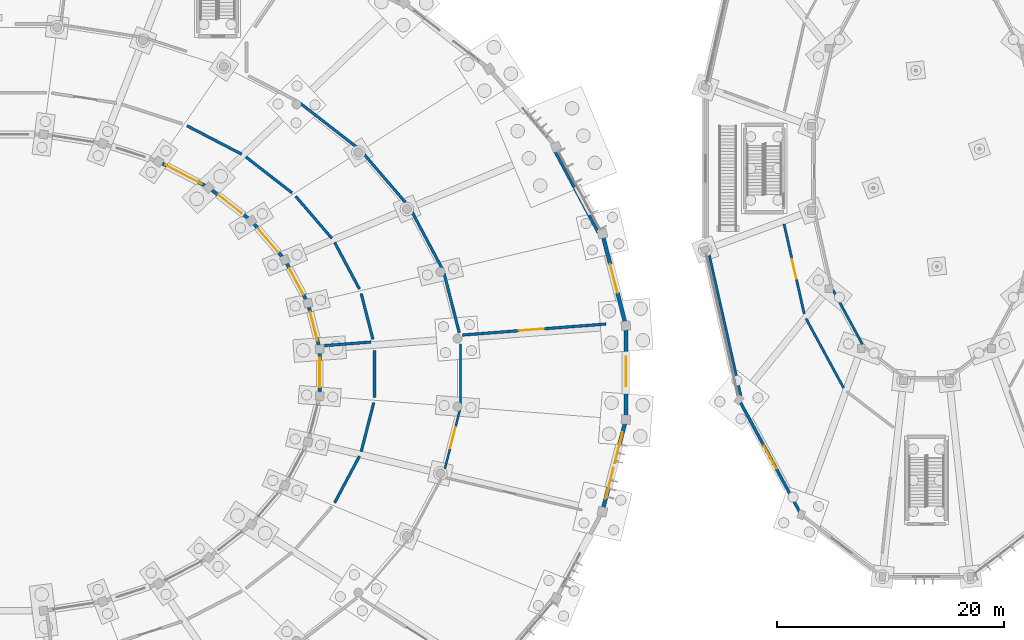
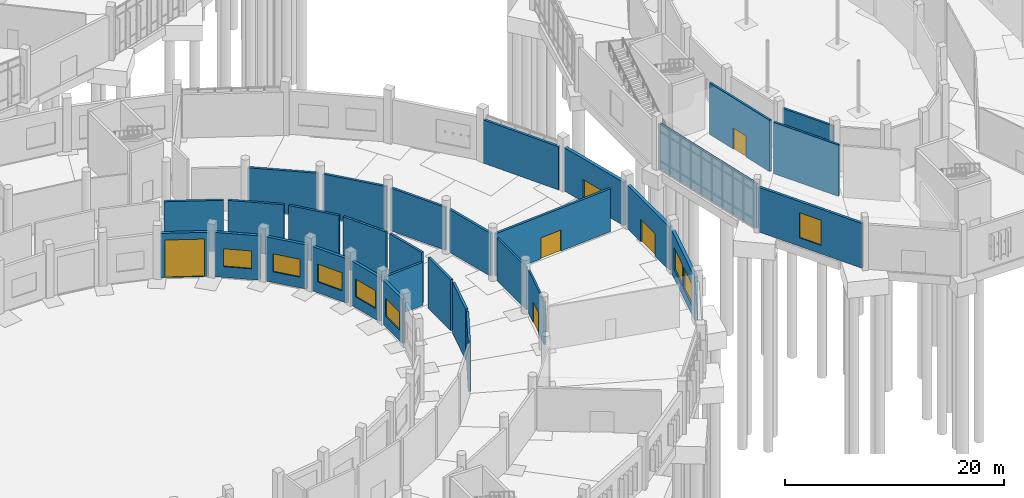
# One storey, part 86 of 140: 31 walls, 8 windows, 6 doors, 14 openings.
"""IFC4 building model written with IfcOpenShell, lengths in metres."""

from ifc_helpers import new_model, si_unit, direction, frame, frame_2d, origin, place, context, subcontext, project, spatial, rectangle, extrude, material, layer, layer_set, type_object, element, fill, save


model = new_model("IFC4")

# Units and contexts
model_context = context("Model", 3, precision=1e-05, world=origin(), true_north=direction((0.0, 1.0)))
body_context = subcontext(model_context, "Body", "Model", "MODEL_VIEW")
ifc_project = project(units=[si_unit("LENGTHUNIT", "METRE"), si_unit("AREAUNIT", "SQUARE_METRE"), si_unit("VOLUMEUNIT", "CUBIC_METRE"), si_unit("PLANEANGLEUNIT", "RADIAN"), si_unit("MASSUNIT", "GRAM", prefix="KILO")], contexts=[model_context])

# Site, building, storey
site_placement = place(None, origin())
site = spatial("IfcSite", under=ifc_project, at=site_placement, CompositionType="ELEMENT")
building_placement = place(site_placement, origin())
building = spatial("IfcBuilding", under=site, at=building_placement, Name="Corvandel Quay Wholesale Market", CompositionType="ELEMENT")
storey_placement = place(building_placement, origin())
storey = spatial("IfcBuildingStorey", under=building, at=storey_placement, Name="L00", CompositionType="ELEMENT", Elevation=0.0)

# Walls
ifc_material_1 = material(Name="Gypsum-clad steel stud framing", Category="steel")
ifc_layer_1 = layer(ifc_material_1, 0.2099609375)
ifc_layer_set_1 = layer_set([ifc_layer_1], Name="Gypsum-clad steel stud framing")
wall_type_1 = type_object("IfcWallType", Name="Corridor Rated Partition PT02 210", PredefinedType="PARTITIONING", material=ifc_layer_set_1)
wall_1_placement = place(storey_placement, frame((188.853271484375, 44.49658203125, 0.0), z_axis=(0.0, 0.0, 1.0), x_axis=(-0.476219723691, 0.879326318705, 0.0)))
element("IfcWall", 1, at=wall_1_placement, inside=storey, type_object=wall_type_1, Name="Interior Wall IW-0679", PredefinedType="PARTITIONING", context=body_context, shape_type="SweptSolid", body=[
    extrude(rectangle(XDim=5.456298828125, YDim=0.2099609375, at=frame_2d((2.72802734375, 0.0))), origin(), (0.0, 0.0, 1.0), 4.93994140625),
])
wall_2_placement = place(storey_placement, frame((178.147705078125, 39.90771484375, 0.0), z_axis=(0.0, 0.0, 1.0), x_axis=(-0.218950813535, 0.975735897286, 0.0)))
element("IfcWall", 2, at=wall_2_placement, inside=storey, type_object=wall_type_1, Name="Interior Wall IW-0701", PredefinedType="PARTITIONING", context=body_context, shape_type="SweptSolid", body=[
    extrude(rectangle(XDim=13.060546875, YDim=0.2099609375, at=frame_2d((6.5302734375, 0.0))), origin(), (0.0, 0.0, 1.0), 4.989990234375),
])

# Wall, opening, door
wall_3_placement = place(storey_placement, frame((181.947998046875, 55.101806640625, 0.0), z_axis=(0.0, 0.0, 1.0), x_axis=(0.218873477414, -0.97575324795, 0.0)))
wall_3 = element("IfcWall", 3, at=wall_3_placement, inside=storey, type_object=wall_type_1, Name="Interior Wall IW-0702", PredefinedType="PARTITIONING", context=body_context, shape_type="SweptSolid", body=[
    extrude(rectangle(XDim=8.11376953125, YDim=0.2099609375, at=frame_2d((4.056884765625, 0.0))), origin(), (0.0, 0.0, 1.0), 5.739990234375),
])
opening_1_placement = place(wall_3_placement, frame((3.20703125, 0.0, 0.0)))
opening_1 = element("IfcOpeningElement", 4, at=opening_1_placement, cuts=wall_3, Name="Opening L00-D108", PredefinedType="OPENING", context=body_context, shape_type="SweptSolid", body=[
    extrude(rectangle(XDim=1.75, YDim=2.35009765625, at=frame_2d((0.875, 1.175048828125))), frame((0.0, 0.114990234375, 0.0), z_axis=(0.0, -1.0, 0.0), x_axis=(1.0, 0.0, 0.0)), (0.0, 0.0, 1.0), 0.22998046875),
])
ifc_material_2 = material(Name="Acoustic timber double leaf", Category="wood")
door_type_1 = type_object("IfcDoorType", Name="Auction Hall Acoustic Door ID18 1750x2350", OperationType="DOUBLE_DOOR_SINGLE_SWING", PredefinedType="DOOR", material=ifc_material_2)
door_1_placement = place(opening_1_placement, origin())
door_1 = element("IfcDoor", 5, at=door_1_placement, inside=storey, type_object=door_type_1, Name="Auction Lot Display Staging Hall Door", OperationType="DOUBLE_DOOR_SINGLE_SWING", OverallHeight=2.35009765625, OverallWidth=1.75, PredefinedType="DOOR", context=body_context, shape_type="SweptSolid", body=[
    extrude(rectangle(XDim=1.75, YDim=2.35009765625, at=frame_2d((0.875, 1.175048828125))), frame((0.0, 0.02490234375, 0.0), z_axis=(0.0, -1.0, 0.0), x_axis=(1.0, 0.0, 0.0)), (0.0, 0.0, 1.0), 0.050048828125),
])
fill(opening_1, door_1)

# Walls
wall_4_placement = place(storey_placement, frame((183.876708984375, 46.776611328125, 0.0), z_axis=(0.0, 0.0, 1.0), x_axis=(0.476408516095, -0.879224047551, 0.0)))
element("IfcWall", 6, at=wall_4_placement, inside=storey, type_object=wall_type_1, Name="Interior Wall IW-0703", PredefinedType="PARTITIONING", context=body_context, shape_type="SweptSolid", body=[
    extrude(rectangle(XDim=6.96337890625, YDim=0.2099609375, at=frame_2d((3.481689453125, 0.0))), origin(), (0.0, 0.0, 1.0), 5.739990234375),
])
ifc_material_3 = material(Name="Lightweight concrete blockwork", Category="masonry")
ifc_layer_2 = layer(ifc_material_3, 0.239990234375)
ifc_layer_set_2 = layer_set([ifc_layer_2], Name="Lightweight concrete blockwork")
wall_type_2 = type_object("IfcWallType", Name="Fire Compartment Partition PT01 240", PredefinedType="PARTITIONING", material=ifc_layer_set_2)
wall_5_placement = place(storey_placement, frame((151.812744140625, 51.145263671875, 0.0), z_axis=(0.0, 0.0, 1.0), x_axis=(-0.469226360226, 0.883077925706, 0.0)))
element("IfcWall", 7, at=wall_5_placement, inside=storey, type_object=wall_type_2, Name="Interior Wall IW-0353", PredefinedType="PARTITIONING", context=body_context, shape_type="SweptSolid", body=[
    extrude(rectangle(XDim=5.938720703125, YDim=0.239990234375, at=frame_2d((2.96923828125, 0.0))), origin(), (0.0, 0.0, 1.0), 4.780029296875),
])
wall_6_placement = place(storey_placement, frame((148.77978515625, 56.7509765625, 0.0), z_axis=(0.0, 0.0, 1.0), x_axis=(-0.651535152642, 0.758618444853, 0.0)))
element("IfcWall", 8, at=wall_6_placement, inside=storey, type_object=wall_type_2, Name="Interior Wall IW-0354", PredefinedType="PARTITIONING", context=body_context, shape_type="SweptSolid", body=[
    extrude(rectangle(XDim=6.187744140625, YDim=0.239990234375, at=frame_2d((3.09375, 0.0))), origin(), (0.0, 0.0, 1.0), 4.780029296875),
])
wall_7_placement = place(storey_placement, frame((144.431396484375, 61.7470703125, 0.0), z_axis=(0.0, 0.0, 1.0), x_axis=(-0.789342138295, 0.613953572115, 0.0)))
element("IfcWall", 9, at=wall_7_placement, inside=storey, type_object=wall_type_2, Name="Interior Wall IW-0355", PredefinedType="PARTITIONING", context=body_context, shape_type="SweptSolid", body=[
    extrude(rectangle(XDim=6.521484375, YDim=0.239990234375, at=frame_2d((3.2607421875, 0.0))), origin(), (0.0, 0.0, 1.0), 4.780029296875),
])
wall_8_placement = place(storey_placement, frame((161.724365234375, 61.540771484375, 0.0), z_axis=(0.0, 0.0, 1.0), x_axis=(0.470163984021, -0.88257907755, 0.0)))
element("IfcWall", 10, at=wall_8_placement, inside=storey, type_object=wall_type_2, Name="Interior Wall IW-0360", PredefinedType="PARTITIONING", context=body_context, shape_type="SweptSolid", body=[
    extrude(rectangle(XDim=8.155029296875, YDim=0.239990234375, at=frame_2d((4.07763671875, 0.0))), origin(), (0.0, 0.0, 1.0), 4.830078125),
])

# Wall, opening, door
wall_9_placement = place(storey_placement, frame((166.2421875, 46.283447265625, 0.0), z_axis=(0.0, 0.0, 1.0), x_axis=(-0.997073231662, -0.07645240809, 0.0)))
wall_9 = element("IfcWall", 11, at=wall_9_placement, inside=storey, type_object=wall_type_2, Name="Interior Wall IW-0361", PredefinedType="PARTITIONING", context=body_context, shape_type="SweptSolid", body=[
    extrude(rectangle(XDim=12.69677734375, YDim=0.239990234375, at=frame_2d((6.348388671875, 0.0))), origin(), (0.0, 0.0, 1.0), 4.780029296875),
])
opening_2_placement = place(wall_9_placement, frame((5.498046875, 0.0, 0.0)))
opening_2 = element("IfcOpeningElement", 12, at=opening_2_placement, cuts=wall_9, Name="Opening L00-D085", PredefinedType="OPENING", context=body_context, shape_type="SweptSolid", body=[
    extrude(rectangle(XDim=2.199951171875, YDim=2.35009765625, at=frame_2d((1.10009765625, 1.175048828125))), frame((0.0, 0.1298828125, 0.0), z_axis=(0.0, -1.0, 0.0), x_axis=(1.0, 0.0, 0.0)), (0.0, 0.0, 1.0), 0.260009765625),
])
ifc_material_4 = material(Name="Stainless-clad fire-rated steel", Category="steel")
door_type_2 = type_object("IfcDoorType", Name="Hall Compartment Double Door ID04 2200x2350", OperationType="DOUBLE_DOOR_SINGLE_SWING", PredefinedType="DOOR", material=ifc_material_4)
door_2_placement = place(opening_2_placement, origin())
door_2 = element("IfcDoor", 13, at=door_2_placement, inside=storey, type_object=door_type_2, Name="Produce Wholesale Trading Hall East Door", OperationType="DOUBLE_DOOR_SINGLE_SWING", OverallHeight=2.35009765625, OverallWidth=2.199951171875, PredefinedType="DOOR", context=body_context, shape_type="SweptSolid", body=[
    extrude(rectangle(XDim=2.199951171875, YDim=2.35009765625, at=frame_2d((1.10009765625, 1.175048828125))), frame((0.0, 0.02490234375, 0.0), z_axis=(0.0, -1.0, 0.0), x_axis=(1.0, 0.0, 0.0)), (0.0, 0.0, 1.0), 0.050048828125),
])
fill(opening_2, door_2)

# Walls
wall_10_placement = place(storey_placement, frame((153.30859375, 45.509033203125, 0.0), z_axis=(0.0, 0.0, 1.0), x_axis=(-0.247928033727, 0.968778452533, 0.0)))
element("IfcWall", 14, at=wall_10_placement, inside=storey, type_object=wall_type_2, Name="Interior Wall IW-0362", PredefinedType="PARTITIONING", context=body_context, shape_type="SweptSolid", body=[
    extrude(rectangle(XDim=5.397216796875, YDim=0.239990234375, at=frame_2d((2.69873046875, 0.0))), origin(), (0.0, 0.0, 1.0), 4.780029296875),
])
wall_11_placement = place(storey_placement, frame((129.293212890625, 63.7666015625, 0.0), z_axis=(0.0, 0.0, 1.0), x_axis=(0.88734982981, -0.461096822301, 0.0)))
element("IfcWall", 15, at=wall_11_placement, inside=storey, type_object=wall_type_2, Name="Interior Wall IW-0410", PredefinedType="PARTITIONING", context=body_context, shape_type="SweptSolid", body=[
    extrude(rectangle(XDim=5.437255859375, YDim=0.239990234375, at=frame_2d((2.71875, 0.0))), origin(), (0.0, 0.0, 1.0), 5.679931640625),
])
wall_12_placement = place(storey_placement, frame((134.48681640625, 61.02294921875, 0.0), z_axis=(0.0, 0.0, 1.0), x_axis=(0.789326793675, -0.613973299734, 0.0)))
element("IfcWall", 16, at=wall_12_placement, inside=storey, type_object=wall_type_2, Name="Interior Wall IW-0411", PredefinedType="PARTITIONING", context=body_context, shape_type="SweptSolid", body=[
    extrude(rectangle(XDim=5.1708984375, YDim=0.239990234375, at=frame_2d((2.58544921875, 0.0))), origin(), (0.0, 0.0, 1.0), 5.679931640625),
])
wall_13_placement = place(storey_placement, frame((138.885498046875, 57.546142578125, 0.0), z_axis=(0.0, 0.0, 1.0), x_axis=(0.651612898083, -0.758551666699, 0.0)))
element("IfcWall", 17, at=wall_13_placement, inside=storey, type_object=wall_type_2, Name="Interior Wall IW-0412", PredefinedType="PARTITIONING", context=body_context, shape_type="SweptSolid", body=[
    extrude(rectangle(XDim=4.892578125, YDim=0.239990234375, at=frame_2d((2.4462890625, 0.0))), origin(), (0.0, 0.0, 1.0), 5.679931640625),
])
wall_14_placement = place(storey_placement, frame((142.3203125, 53.473876953125, 0.0), z_axis=(0.0, 0.0, 1.0), x_axis=(0.469990490092, -0.882671478651, 0.0)))
element("IfcWall", 18, at=wall_14_placement, inside=storey, type_object=wall_type_2, Name="Interior Wall IW-0413", PredefinedType="PARTITIONING", context=body_context, shape_type="SweptSolid", body=[
    extrude(rectangle(XDim=4.6435546875, YDim=0.239990234375, at=frame_2d((2.32177734375, 0.0))), origin(), (0.0, 0.0, 1.0), 5.679931640625),
])
wall_15_placement = place(storey_placement, frame((144.660400390625, 48.968017578125, 0.0), z_axis=(0.0, 0.0, 1.0), x_axis=(0.247874121908, -0.96879224795, 0.0)))
element("IfcWall", 19, at=wall_15_placement, inside=storey, type_object=wall_type_2, Name="Interior Wall IW-0414", PredefinedType="PARTITIONING", context=body_context, shape_type="SweptSolid", body=[
    extrude(rectangle(XDim=4.172119140625, YDim=0.239990234375, at=frame_2d((2.0859375, 0.0))), origin(), (0.0, 0.0, 1.0), 5.679931640625),
])
wall_16_placement = place(storey_placement, frame((145.529541015625, 44.6962890625, 0.0), z_axis=(0.0, 0.0, 1.0), x_axis=(-0.997067751091, -0.076523850757, 0.0)))
element("IfcWall", 20, at=wall_16_placement, inside=storey, type_object=wall_type_2, Name="Interior Wall IW-0415", PredefinedType="PARTITIONING", context=body_context, shape_type="SweptSolid", body=[
    extrude(rectangle(XDim=4.109130859375, YDim=0.239990234375, at=frame_2d((2.0546875, 0.0))), origin(), (0.0, 0.0, 1.0), 4.800048828125),
])
wall_17_placement = place(storey_placement, frame((145.822998046875, 43.93701171875, 0.0), z_axis=(0.0, 0.0, 1.0), x_axis=(0.0, -1.0, 0.0)))
element("IfcWall", 21, at=wall_17_placement, inside=storey, type_object=wall_type_2, Name="Interior Wall IW-0433", PredefinedType="PARTITIONING", context=body_context, shape_type="SweptSolid", body=[
    extrude(rectangle(XDim=4.14111328125, YDim=0.239990234375, at=frame_2d((2.070556640625, 0.0))), origin(), (0.0, 0.0, 1.0), 5.679931640625),
])
wall_18_placement = place(storey_placement, frame((145.7685546875, 39.36279296875, 0.0), z_axis=(0.0, 0.0, 1.0), x_axis=(-0.247890468926, -0.968788065273, 0.0)))
element("IfcWall", 22, at=wall_18_placement, inside=storey, type_object=wall_type_2, Name="Interior Wall IW-0434", PredefinedType="PARTITIONING", context=body_context, shape_type="SweptSolid", body=[
    extrude(rectangle(XDim=4.470458984375, YDim=0.239990234375, at=frame_2d((2.2353515625, 0.0))), origin(), (0.0, 0.0, 1.0), 5.679931640625),
])
wall_19_placement = place(storey_placement, frame((144.502685546875, 34.624755859375, 0.0), z_axis=(0.0, 0.0, 1.0), x_axis=(-0.469990490092, -0.882671478651, 0.0)))
element("IfcWall", 23, at=wall_19_placement, inside=storey, type_object=wall_type_2, Name="Interior Wall IW-0435", PredefinedType="PARTITIONING", context=body_context, shape_type="SweptSolid", body=[
    extrude(rectangle(XDim=4.6435546875, YDim=0.239990234375, at=frame_2d((2.32177734375, 0.0))), origin(), (0.0, 0.0, 1.0), 5.679931640625),
])

# Wall, opening, door
ifc_material_5 = material(Name="FRP-faced cementitious board stud wall")
ifc_layer_3 = layer(ifc_material_5, 0.179931640625)
ifc_layer_set_3 = layer_set([ifc_layer_3], Name="FRP-faced cementitious board stud wall")
wall_type_3 = type_object("IfcWallType", Name="Hygienic Washdown Partition PT05 180", PredefinedType="PARTITIONING", material=ifc_layer_set_3)
wall_20_placement = place(storey_placement, frame((152.04150390625, 33.5380859375, 0.0), z_axis=(0.0, 0.0, 1.0), x_axis=(0.247546610249, 0.968875985745, 0.0)))
wall_20 = element("IfcWall", 24, at=wall_20_placement, inside=storey, type_object=wall_type_3, Name="Interior Wall IW-0404", PredefinedType="PARTITIONING", context=body_context, shape_type="SweptSolid", body=[
    extrude(rectangle(XDim=5.373046875, YDim=0.179931640625, at=frame_2d((2.6865234375, 0.0))), origin(), (0.0, 0.0, 1.0), 4.780029296875),
])
opening_3_placement = place(wall_20_placement, frame((1.8359375, 0.0, 0.0)))
opening_3 = element("IfcOpeningElement", 25, at=opening_3_placement, cuts=wall_20, Name="Opening L00-D093", PredefinedType="OPENING", context=body_context, shape_type="SweptSolid", body=[
    extrude(rectangle(XDim=1.89990234375, YDim=2.300048828125, at=frame_2d((0.949951171875, 1.14990234375))), frame((0.0, 0.099853515625, 0.0), z_axis=(0.0, -1.0, 0.0), x_axis=(1.0, 0.0, 0.0)), (0.0, 0.0, 1.0), 0.199951171875),
])
ifc_material_6 = material(Name="Brushed stainless steel hygienic leaf", Category="steel")
door_type_3 = type_object("IfcDoorType", Name="Canteen Kitchen Double Door ID17 1900x2300", OperationType="DOUBLE_DOOR_SINGLE_SWING", PredefinedType="DOOR", material=ifc_material_6)
door_3_placement = place(opening_3_placement, origin())
door_3 = element("IfcDoor", 26, at=door_3_placement, inside=storey, type_object=door_type_3, Name="Produce Hall Pallet Wash and Store Door", OperationType="DOUBLE_DOOR_SINGLE_SWING", OverallHeight=2.300048828125, OverallWidth=1.89990234375, PredefinedType="DOOR", context=body_context, shape_type="SweptSolid", body=[
    extrude(rectangle(XDim=1.89990234375, YDim=2.300048828125, at=frame_2d((0.949951171875, 1.14990234375))), frame((0.0, 0.02490234375, 0.0), z_axis=(0.0, -1.0, 0.0), x_axis=(1.0, 0.0, 0.0)), (0.0, 0.0, 1.0), 0.050048828125),
])
fill(opening_3, door_3)

# Wall
wall_21_placement = place(storey_placement, frame((153.42626953125, 39.177001953125, 0.0), z_axis=(0.0, 0.0, 1.0), x_axis=(0.000639707431, 0.999999795387, 0.0)))
element("IfcWall", 27, at=wall_21_placement, inside=storey, type_object=wall_type_3, Name="Interior Wall IW-0405", PredefinedType="PARTITIONING", context=body_context, shape_type="SweptSolid", body=[
    extrude(rectangle(XDim=5.343017578125, YDim=0.179931640625, at=frame_2d((2.67138671875, 0.0))), origin(), (0.0, 0.0, 1.0), 4.780029296875),
])

# Wall, opening, window
ifc_material_7 = material(Name="Precast concrete C45/55", Category="concrete")
ifc_layer_4 = layer(ifc_material_7, 0.300048828125)
ifc_layer_set_4 = layer_set([ifc_layer_4], Name="Precast concrete C45/55")
wall_type_4 = type_object("IfcWallType", Name="Loading Dock Apron Precast Wall EW05 300", PredefinedType="SOLIDWALL", material=ifc_layer_set_4)
wall_22_placement = place(storey_placement, frame((140.9306640625, 44.33935546875, 0.0), z_axis=(0.0, 0.0, 1.0), x_axis=(-0.247868505824, 0.968793684858, 0.0)))
wall_22 = element("IfcWall", 28, at=wall_22_placement, inside=storey, type_object=wall_type_4, Name="Exterior Wall EW-0002", PredefinedType="SOLIDWALL", context=body_context, shape_type="SweptSolid", body=[
    extrude(rectangle(XDim=3.627685546875, YDim=0.300048828125, at=frame_2d((1.81396484375, 0.0))), origin(), (0.0, 0.0, 1.0), 4.949951171875),
])
opening_4_placement = place(wall_22_placement, frame((0.513916015625, 0.0, 1.199951171875)))
opening_4 = element("IfcOpeningElement", 29, at=opening_4_placement, cuts=wall_22, Name="Opening L00-W001", PredefinedType="OPENING", context=body_context, shape_type="SweptSolid", body=[
    extrude(rectangle(XDim=2.60009765625, YDim=2.0, at=frame_2d((1.300048828125, 1.0))), frame((0.0, 0.159912109375, 0.0), z_axis=(0.0, -1.0, 0.0), x_axis=(1.0, 0.0, 0.0)), (0.0, 0.0, 1.0), 0.320068359375),
])
ifc_material_8 = material(Name="Thermally broken bronze anodised aluminium and solar-control low-E double glazing", Category="aluminium")
window_type_1 = type_object("IfcWindowType", Name="Yard Overlook Window WN05 2600x2000", PartitioningType="SINGLE_PANEL", PredefinedType="WINDOW", material=ifc_material_8)
window_1_placement = place(opening_4_placement, origin())
window_1 = element("IfcWindow", 30, at=window_1_placement, inside=storey, type_object=window_type_1, Name="Window L00-W001", OverallHeight=2.0, OverallWidth=2.60009765625, PartitioningType="SINGLE_PANEL", PredefinedType="WINDOW", context=body_context, shape_type="SweptSolid", body=[
    extrude(rectangle(XDim=2.60009765625, YDim=2.0, at=frame_2d((1.300048828125, 1.0))), frame((0.0, 0.030029296875, 0.0), z_axis=(0.0, -1.0, 0.0), x_axis=(1.0, 0.0, 0.0)), (0.0, 0.0, 1.0), 0.06005859375),
])
fill(opening_4, window_1)

wall_23_placement = place(storey_placement, frame((139.830322265625, 48.372314453125, 0.0), z_axis=(0.0, 0.0, 1.0), x_axis=(-0.469993150061, 0.882670062309, 0.0)))
wall_23 = element("IfcWall", 31, at=wall_23_placement, inside=storey, type_object=wall_type_4, Name="Exterior Wall EW-0005", PredefinedType="SOLIDWALL", context=body_context, shape_type="SweptSolid", body=[
    extrude(rectangle(XDim=3.769775390625, YDim=0.300048828125, at=frame_2d((1.884765625, 0.0))), origin(), (0.0, 0.0, 1.0), 4.949951171875),
])
opening_5_placement = place(wall_23_placement, frame((0.5849609375, 0.0, 1.199951171875)))
opening_5 = element("IfcOpeningElement", 32, at=opening_5_placement, cuts=wall_23, Name="Opening L00-W002", PredefinedType="OPENING", context=body_context, shape_type="SweptSolid", body=[
    extrude(rectangle(XDim=2.60009765625, YDim=2.0, at=frame_2d((1.300048828125, 1.0))), frame((0.0, 0.159912109375, 0.0), z_axis=(0.0, -1.0, 0.0), x_axis=(1.0, 0.0, 0.0)), (0.0, 0.0, 1.0), 0.320068359375),
])
window_2_placement = place(opening_5_placement, origin())
window_2 = element("IfcWindow", 33, at=window_2_placement, inside=storey, type_object=window_type_1, Name="Window L00-W002", OverallHeight=2.0, OverallWidth=2.60009765625, PartitioningType="SINGLE_PANEL", PredefinedType="WINDOW", context=body_context, shape_type="SweptSolid", body=[
    extrude(rectangle(XDim=2.60009765625, YDim=2.0, at=frame_2d((1.300048828125, 1.0))), frame((0.0, 0.030029296875, 0.0), z_axis=(0.0, -1.0, 0.0), x_axis=(1.0, 0.0, 0.0)), (0.0, 0.0, 1.0), 0.06005859375),
])
fill(opening_5, window_2)

wall_24_placement = place(storey_placement, frame((137.744384765625, 52.159423828125, 0.0), z_axis=(0.0, 0.0, 1.0), x_axis=(-0.651580132855, 0.758579811535, 0.0)))
wall_24 = element("IfcWall", 34, at=wall_24_placement, inside=storey, type_object=wall_type_4, Name="Exterior Wall EW-0008", PredefinedType="SOLIDWALL", context=body_context, shape_type="SweptSolid", body=[
    extrude(rectangle(XDim=3.974609375, YDim=0.300048828125, at=frame_2d((1.9873046875, 0.0))), origin(), (0.0, 0.0, 1.0), 4.949951171875),
])
opening_6_placement = place(wall_24_placement, frame((0.68701171875, 0.0, 1.199951171875)))
opening_6 = element("IfcOpeningElement", 35, at=opening_6_placement, cuts=wall_24, Name="Opening L00-W004", PredefinedType="OPENING", context=body_context, shape_type="SweptSolid", body=[
    extrude(rectangle(XDim=2.60009765625, YDim=2.0, at=frame_2d((1.300048828125, 1.0))), frame((0.0, 0.159912109375, 0.0), z_axis=(0.0, -1.0, 0.0), x_axis=(1.0, 0.0, 0.0)), (0.0, 0.0, 1.0), 0.320068359375),
])
window_3_placement = place(opening_6_placement, origin())
window_3 = element("IfcWindow", 36, at=window_3_placement, inside=storey, type_object=window_type_1, Name="Window L00-W004", OverallHeight=2.0, OverallWidth=2.60009765625, PartitioningType="SINGLE_PANEL", PredefinedType="WINDOW", context=body_context, shape_type="SweptSolid", body=[
    extrude(rectangle(XDim=2.60009765625, YDim=2.0, at=frame_2d((1.300048828125, 1.0))), frame((0.0, 0.030029296875, 0.0), z_axis=(0.0, -1.0, 0.0), x_axis=(1.0, 0.0, 0.0)), (0.0, 0.0, 1.0), 0.06005859375),
])
fill(opening_6, window_3)

wall_25_placement = place(storey_placement, frame((134.7509765625, 55.558837890625, 0.0), z_axis=(0.0, 0.0, 1.0), x_axis=(-0.789377228816, 0.613908454598, 0.0)))
wall_25 = element("IfcWall", 37, at=wall_25_placement, inside=storey, type_object=wall_type_4, Name="Exterior Wall EW-0011", PredefinedType="SOLIDWALL", context=body_context, shape_type="SweptSolid", body=[
    extrude(rectangle(XDim=4.20458984375, YDim=0.300048828125, at=frame_2d((2.102294921875, 0.0))), origin(), (0.0, 0.0, 1.0), 4.949951171875),
])
opening_7_placement = place(wall_25_placement, frame((0.802001953125, 0.0, 1.199951171875)))
opening_7 = element("IfcOpeningElement", 38, at=opening_7_placement, cuts=wall_25, Name="Opening L00-W007", PredefinedType="OPENING", context=body_context, shape_type="SweptSolid", body=[
    extrude(rectangle(XDim=2.60009765625, YDim=2.0, at=frame_2d((1.300048828125, 1.0))), frame((0.0, 0.159912109375, 0.0), z_axis=(0.0, -1.0, 0.0), x_axis=(1.0, 0.0, 0.0)), (0.0, 0.0, 1.0), 0.320068359375),
])
window_4_placement = place(opening_7_placement, origin())
window_4 = element("IfcWindow", 39, at=window_4_placement, inside=storey, type_object=window_type_1, Name="Window L00-W007", OverallHeight=2.0, OverallWidth=2.60009765625, PartitioningType="SINGLE_PANEL", PredefinedType="WINDOW", context=body_context, shape_type="SweptSolid", body=[
    extrude(rectangle(XDim=2.60009765625, YDim=2.0, at=frame_2d((1.300048828125, 1.0))), frame((0.0, 0.030029296875, 0.0), z_axis=(0.0, -1.0, 0.0), x_axis=(1.0, 0.0, 0.0)), (0.0, 0.0, 1.0), 0.06005859375),
])
fill(opening_7, window_4)

# Wall, opening, door
wall_26_placement = place(storey_placement, frame((130.96240234375, 58.441162109375, 0.0), z_axis=(0.0, 0.0, 1.0), x_axis=(-0.887318897671, 0.461156344243, 0.0)))
wall_26 = element("IfcWall", 40, at=wall_26_placement, inside=storey, type_object=wall_type_4, Name="Exterior Wall EW-0013", PredefinedType="SOLIDWALL", context=body_context, shape_type="SweptSolid", body=[
    extrude(rectangle(XDim=4.423095703125, YDim=0.300048828125, at=frame_2d((2.21142578125, 0.0))), origin(), (0.0, 0.0, 1.0), 4.949951171875),
])
opening_8_placement = place(wall_26_placement, frame((0.412109375, 0.0, 0.0)))
opening_8 = element("IfcOpeningElement", 41, at=opening_8_placement, cuts=wall_26, Name="Opening L00-D002", PredefinedType="OPENING", context=body_context, shape_type="SweptSolid", body=[
    extrude(rectangle(XDim=3.60009765625, YDim=4.199951171875, at=frame_2d((1.800048828125, 2.10009765625))), frame((0.0, 0.159912109375, 0.0), z_axis=(0.0, -1.0, 0.0), x_axis=(1.0, 0.0, 0.0)), (0.0, 0.0, 1.0), 0.320068359375),
])
ifc_material_9 = material(Name="Perforated galvanised steel slats", Category="steel")
door_type_4 = type_object("IfcDoorType", Name="Produce Yard Apron Roller Shutter RS02 3600x4200", OperationType="ROLLINGUP", PredefinedType="DOOR", material=ifc_material_9)
door_4_placement = place(opening_8_placement, origin())
door_4 = element("IfcDoor", 42, at=door_4_placement, inside=storey, type_object=door_type_4, Name="Yard Loading Door V1-04", OperationType="ROLLINGUP", OverallHeight=4.199951171875, OverallWidth=3.60009765625, PredefinedType="DOOR", context=body_context, shape_type="SweptSolid", body=[
    extrude(rectangle(XDim=3.60009765625, YDim=4.199951171875, at=frame_2d((1.800048828125, 2.10009765625))), frame((0.0, 0.02490234375, 0.0), z_axis=(0.0, -1.0, 0.0), x_axis=(1.0, 0.0, 0.0)), (0.0, 0.0, 1.0), 0.050048828125),
])
fill(opening_8, door_4)

# Wall, opening, window
wall_27_placement = place(storey_placement, frame((141.0, 40.2119140625, 0.0), z_axis=(0.0, 0.0, 1.0), x_axis=(0.0, 1.0, 0.0)))
wall_27 = element("IfcWall", 43, at=wall_27_placement, inside=storey, type_object=wall_type_4, Name="Exterior Wall EW-0086", PredefinedType="SOLIDWALL", context=body_context, shape_type="SweptSolid", body=[
    extrude(rectangle(XDim=3.576171875, YDim=0.300048828125, at=frame_2d((1.7880859375, 0.0))), origin(), (0.0, 0.0, 1.0), 4.949951171875),
])
opening_9_placement = place(wall_27_placement, frame((0.488037109375, 0.0, 1.199951171875)))
opening_9 = element("IfcOpeningElement", 44, at=opening_9_placement, cuts=wall_27, Name="Opening L00-W051", PredefinedType="OPENING", context=body_context, shape_type="SweptSolid", body=[
    extrude(rectangle(XDim=2.60009765625, YDim=2.0, at=frame_2d((1.300048828125, 1.0))), frame((0.0, 0.159912109375, 0.0), z_axis=(0.0, -1.0, 0.0), x_axis=(1.0, 0.0, 0.0)), (0.0, 0.0, 1.0), 0.320068359375),
])
window_5_placement = place(opening_9_placement, origin())
window_5 = element("IfcWindow", 45, at=window_5_placement, inside=storey, type_object=window_type_1, Name="Window L00-W051", OverallHeight=2.0, OverallWidth=2.60009765625, PartitioningType="SINGLE_PANEL", PredefinedType="WINDOW", context=body_context, shape_type="SweptSolid", body=[
    extrude(rectangle(XDim=2.60009765625, YDim=2.0, at=frame_2d((1.300048828125, 1.0))), frame((0.0, 0.030029296875, 0.0), z_axis=(0.0, -1.0, 0.0), x_axis=(1.0, 0.0, 0.0)), (0.0, 0.0, 1.0), 0.06005859375),
])
fill(opening_9, window_5)

ifc_material_10 = material(Name="Terracotta precast concrete C45/55", Category="masonry")
ifc_layer_5 = layer(ifc_material_10, 0.260009765625)
ifc_layer_set_5 = layer_set([ifc_layer_5], Name="Terracotta precast concrete C45/55")
wall_type_5 = type_object("IfcWallType", Name="Pavilion Pilaster Infill Wall EW08 260", PredefinedType="SOLIDWALL", material=ifc_layer_set_5)
wall_28_placement = place(storey_placement, frame((178.07373046875, 39.41455078125, 0.0), z_axis=(0.0, 0.0, 1.0), x_axis=(0.476243387046, -0.87931350285, 0.0)))
wall_28 = element("IfcWall", 46, at=wall_28_placement, inside=storey, type_object=wall_type_5, Name="Exterior Wall EW-0180", PredefinedType="SOLIDWALL", context=body_context, shape_type="SweptSolid", body=[
    extrude(rectangle(XDim=11.0771484375, YDim=0.260009765625, at=frame_2d((5.53857421875, 0.0))), origin(), (0.0, 0.0, 1.0), 4.989990234375),
])
opening_10_placement = place(wall_28_placement, frame((4.388916015625, 0.0, 0.949951171875)))
opening_10 = element("IfcOpeningElement", 47, at=opening_10_placement, cuts=wall_28, Name="Opening L00-W071", PredefinedType="OPENING", context=body_context, shape_type="SweptSolid", body=[
    extrude(rectangle(XDim=2.300048828125, YDim=2.800048828125, at=frame_2d((1.14990234375, 1.39990234375))), frame((0.0, 0.139892578125, 0.0), z_axis=(0.0, -1.0, 0.0), x_axis=(1.0, 0.0, 0.0)), (0.0, 0.0, 1.0), 0.280029296875),
])
window_type_2 = type_object("IfcWindowType", Name="Auction Hall Tall Facet Window WN11 2300x2800", PartitioningType="SINGLE_PANEL", PredefinedType="WINDOW", material=ifc_material_8)
window_6_placement = place(opening_10_placement, origin())
window_6 = element("IfcWindow", 48, at=window_6_placement, inside=storey, type_object=window_type_2, Name="Window L00-W071", OverallHeight=2.800048828125, OverallWidth=2.300048828125, PartitioningType="SINGLE_PANEL", PredefinedType="WINDOW", context=body_context, shape_type="SweptSolid", body=[
    extrude(rectangle(XDim=2.300048828125, YDim=2.800048828125, at=frame_2d((1.14990234375, 1.39990234375))), frame((0.0, 0.030029296875, 0.0), z_axis=(0.0, -1.0, 0.0), x_axis=(1.0, 0.0, 0.0)), (0.0, 0.0, 1.0), 0.06005859375),
])
fill(opening_10, window_6)

# Wall, opening, door
ifc_layer_6 = layer(ifc_material_10, 0.340087890625)
ifc_layer_set_6 = layer_set([ifc_layer_6], Name="Terracotta precast concrete C45/55")
wall_type_6 = type_object("IfcWallType", Name="Terracotta Ribbed Precast Wall EW01 340", PredefinedType="SOLIDWALL", material=ifc_layer_set_6)
wall_29_placement = place(storey_placement, frame((167.93310546875, 46.398681640625, 0.0), z_axis=(0.0, 0.0, 1.0), x_axis=(-0.247752312481, 0.968823405818, 0.0)))
wall_29 = element("IfcWall", 49, at=wall_29_placement, inside=storey, type_object=wall_type_6, Name="Exterior Wall EW-0001", PredefinedType="SOLIDWALL", context=body_context, shape_type="SweptSolid", body=[
    extrude(rectangle(XDim=7.835205078125, YDim=0.340087890625, at=frame_2d((3.91748046875, 0.0))), origin(), (0.0, 0.0, 1.0), 4.830078125),
])
opening_11_placement = place(wall_29_placement, frame((2.718017578125, 0.0, 0.0)))
opening_11 = element("IfcOpeningElement", 50, at=opening_11_placement, cuts=wall_29, Name="Opening L00-D001", PredefinedType="OPENING", context=body_context, shape_type="SweptSolid", body=[
    extrude(rectangle(XDim=2.60009765625, YDim=2.5, at=frame_2d((1.300048828125, 1.25))), frame((0.0, 0.179931640625, 0.0), z_axis=(0.0, -1.0, 0.0), x_axis=(1.0, 0.0, 0.0)), (0.0, 0.0, 1.0), 0.360107421875),
])
ifc_material_11 = material(Name="Bronze anodised aluminium and laminated glass", Category="aluminium")
door_type_5 = type_object("IfcDoorType", Name="Market Automatic Sliding Entrance ED07 2600x2500", OperationType="DOUBLE_DOOR_SLIDING", PredefinedType="DOOR", material=ifc_material_11)
door_5_placement = place(opening_11_placement, origin())
door_5 = element("IfcDoor", 51, at=door_5_placement, inside=storey, type_object=door_type_5, Name="Main Pedestrian Exit V1-00", OperationType="DOUBLE_DOOR_SLIDING", OverallHeight=2.5, OverallWidth=2.60009765625, PredefinedType="DOOR", context=body_context, shape_type="SweptSolid", body=[
    extrude(rectangle(XDim=2.60009765625, YDim=2.5, at=frame_2d((1.300048828125, 1.25))), frame((0.0, 0.02490234375, 0.0), z_axis=(0.0, -1.0, 0.0), x_axis=(1.0, 0.0, 0.0)), (0.0, 0.0, 1.0), 0.050048828125),
])
fill(opening_11, door_5)

# Wall, openings, windows
wall_30_placement = place(storey_placement, frame((165.991943359375, 30.010498046875, 0.0), z_axis=(0.0, 0.0, 1.0), x_axis=(0.247752312481, 0.968823405818, 0.0)))
wall_30 = element("IfcWall", 52, at=wall_30_placement, inside=storey, type_object=wall_type_6, Name="Exterior Wall EW-0082", PredefinedType="SOLIDWALL", context=body_context, shape_type="SweptSolid", body=[
    extrude(rectangle(XDim=7.835205078125, YDim=0.340087890625, at=frame_2d((3.91748046875, 0.0))), origin(), (0.0, 0.0, 1.0), 4.830078125),
])
opening_12_placement = place(wall_30_placement, frame((0.89990234375, 0.0, 1.050048828125)))
opening_12 = element("IfcOpeningElement", 53, at=opening_12_placement, cuts=wall_30, Name="Opening L00-W048", PredefinedType="OPENING", context=body_context, shape_type="SweptSolid", body=[
    extrude(rectangle(XDim=2.800048828125, YDim=2.39990234375, at=frame_2d((1.39990234375, 1.199951171875))), frame((0.0, 0.179931640625, 0.0), z_axis=(0.0, -1.0, 0.0), x_axis=(1.0, 0.0, 0.0)), (0.0, 0.0, 1.0), 0.360107421875),
])
opening_13_placement = place(wall_30_placement, frame((4.135009765625, 0.0, 1.050048828125)))
opening_13 = element("IfcOpeningElement", 54, at=opening_13_placement, cuts=wall_30, Name="Opening L00-W049", PredefinedType="OPENING", context=body_context, shape_type="SweptSolid", body=[
    extrude(rectangle(XDim=2.800048828125, YDim=2.39990234375, at=frame_2d((1.39990234375, 1.199951171875))), frame((0.0, 0.179931640625, 0.0), z_axis=(0.0, -1.0, 0.0), x_axis=(1.0, 0.0, 0.0)), (0.0, 0.0, 1.0), 0.360107421875),
])
window_type_3 = type_object("IfcWindowType", Name="Produce Hall Arched Ribbon Window WN01 2800x2400", PartitioningType="SINGLE_PANEL", PredefinedType="WINDOW", material=ifc_material_8)
window_7_placement = place(opening_12_placement, origin())
window_7 = element("IfcWindow", 55, at=window_7_placement, inside=storey, type_object=window_type_3, Name="Window L00-W048", OverallHeight=2.39990234375, OverallWidth=2.800048828125, PartitioningType="SINGLE_PANEL", PredefinedType="WINDOW", context=body_context, shape_type="SweptSolid", body=[
    extrude(rectangle(XDim=2.800048828125, YDim=2.39990234375, at=frame_2d((1.39990234375, 1.199951171875))), frame((0.0, 0.030029296875, 0.0), z_axis=(0.0, -1.0, 0.0), x_axis=(1.0, 0.0, 0.0)), (0.0, 0.0, 1.0), 0.06005859375),
])
fill(opening_12, window_7)
window_8_placement = place(opening_13_placement, origin())
window_8 = element("IfcWindow", 56, at=window_8_placement, inside=storey, type_object=window_type_3, Name="Window L00-W049", OverallHeight=2.39990234375, OverallWidth=2.800048828125, PartitioningType="SINGLE_PANEL", PredefinedType="WINDOW", context=body_context, shape_type="SweptSolid", body=[
    extrude(rectangle(XDim=2.800048828125, YDim=2.39990234375, at=frame_2d((1.39990234375, 1.199951171875))), frame((0.0, 0.030029296875, 0.0), z_axis=(0.0, -1.0, 0.0), x_axis=(1.0, 0.0, 0.0)), (0.0, 0.0, 1.0), 0.06005859375),
])
fill(opening_13, window_8)

# Wall, opening, door
wall_31_placement = place(storey_placement, frame((168.0, 38.133056640625, 0.0), z_axis=(0.0, 0.0, 1.0), x_axis=(0.0, 1.0, 0.0)))
wall_31 = element("IfcWall", 57, at=wall_31_placement, inside=storey, type_object=wall_type_6, Name="Exterior Wall EW-0084", PredefinedType="SOLIDWALL", context=body_context, shape_type="SweptSolid", body=[
    extrude(rectangle(XDim=7.73388671875, YDim=0.340087890625, at=frame_2d((3.866943359375, 0.0))), origin(), (0.0, 0.0, 1.0), 4.830078125),
])
opening_14_placement = place(wall_31_placement, frame((2.6669921875, 0.0, 0.0)))
opening_14 = element("IfcOpeningElement", 58, at=opening_14_placement, cuts=wall_31, Name="Opening L00-D016", PredefinedType="OPENING", context=body_context, shape_type="SweptSolid", body=[
    extrude(rectangle(XDim=2.60009765625, YDim=2.5, at=frame_2d((1.300048828125, 1.25))), frame((0.0, 0.179931640625, 0.0), z_axis=(0.0, -1.0, 0.0), x_axis=(1.0, 0.0, 0.0)), (0.0, 0.0, 1.0), 0.360107421875),
])
door_6_placement = place(opening_14_placement, origin())
door_6 = element("IfcDoor", 59, at=door_6_placement, inside=storey, type_object=door_type_5, Name="Main Pedestrian Exit V1-31", OperationType="DOUBLE_DOOR_SLIDING", OverallHeight=2.5, OverallWidth=2.60009765625, PredefinedType="DOOR", context=body_context, shape_type="SweptSolid", body=[
    extrude(rectangle(XDim=2.60009765625, YDim=2.5, at=frame_2d((1.300048828125, 1.25))), frame((0.0, 0.02490234375, 0.0), z_axis=(0.0, -1.0, 0.0), x_axis=(1.0, 0.0, 0.0)), (0.0, 0.0, 1.0), 0.050048828125),
])
fill(opening_14, door_6)

save(model, "model.ifc")
